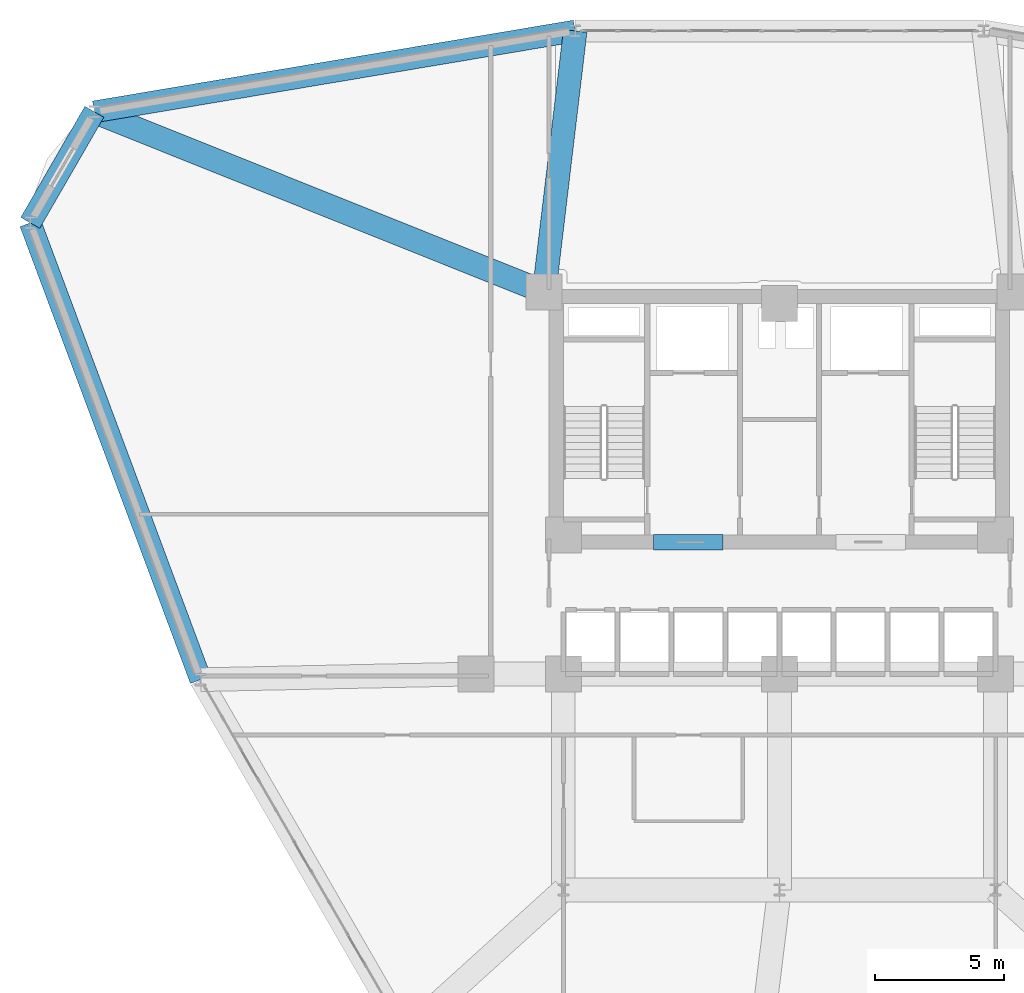
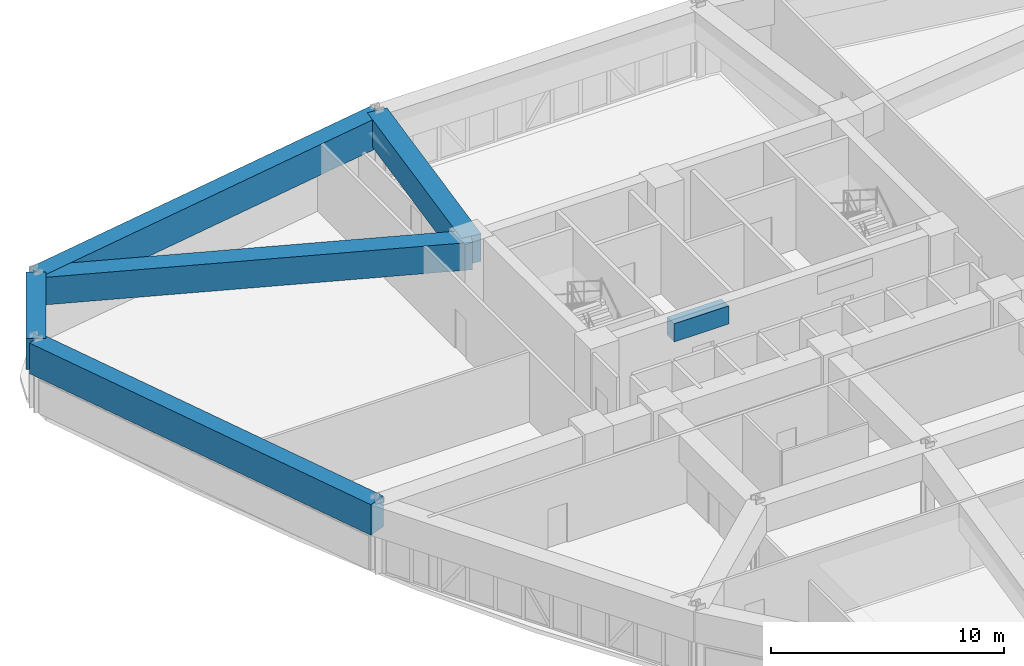
# One storey, part 10 of 20: 6 beams.
"""IFC4 building model written with IfcOpenShell, lengths in metres."""

import ifcopenshell
import ifcopenshell.guid

model = None  # the IFC model being written
_history = None  # IfcOwnerHistory: only IFC2X3 demands one
_inside = {}  # id of a spatial element -> (the spatial element, [elements in it])
_under = {}  # id of a project, library or spatial element -> (it, [spatial elements below it])
_declared = {}  # id of a project -> (the project, [libraries it declares])
_typed = {}  # id of a type object -> (the type object, [elements of that type])
_made_of = {}  # id of a material, layer set ... -> (it, [elements and type objects made of it])


def new_model(schema):
    """Start an empty IFC model of exactly this schema.

    Asked for "IFC4X3", IfcOpenShell would pick the latest addendum, in which some entities
    have other attributes; the version numbers below select the first issue.
    IFC2X3 requires an IfcOwnerHistory on every rooted entity: one is made here for all.
    """
    global model, _history
    if schema == "IFC4X3":
        model = ifcopenshell.file(schema_version=(4, 3, 0, 0))
    else:
        model = ifcopenshell.file(schema=schema)
    _inside.clear()
    _under.clear()
    _declared.clear()
    _typed.clear()
    _made_of.clear()
    _history = None
    if model.schema == "IFC2X3":
        org = make("IfcOrganization", Name="unknown")
        user = make(
            "IfcPersonAndOrganization",
            ThePerson=make("IfcPerson", FamilyName="unknown"),
            TheOrganization=org,
        )
        app = make(
            "IfcApplication",
            ApplicationDeveloper=org,
            Version="unknown",
            ApplicationFullName="unknown",
            ApplicationIdentifier="unknown",
        )
        _history = make(
            "IfcOwnerHistory",
            OwningUser=user,
            OwningApplication=app,
            ChangeAction="ADDED",
            CreationDate=0,
        )
    return model


def make(cls, **values):
    """One entity of the class cls with the attributes given. An attribute that is None is left unset."""
    return model.create_entity(
        cls, **{name: value for name, value in values.items() if value is not None}
    )


def rooted(cls, **values):
    """An entity with a GlobalId (a new one), such as an element, a storey or a relation."""
    return make(cls, GlobalId=ifcopenshell.guid.new(), OwnerHistory=_history, **values)


def si_unit(unit_type, name, prefix=None):
    """IfcSIUnit, for example si_unit("LENGTHUNIT", "METRE", prefix="MILLI")."""
    return make("IfcSIUnit", UnitType=unit_type, Prefix=prefix, Name=name)


def derived_unit(unit_type, elements):
    """IfcDerivedUnit: a product of units, each with its exponent."""
    return make(
        "IfcDerivedUnit",
        Elements=[
            make("IfcDerivedUnitElement", Unit=unit, Exponent=power)
            for unit, power in elements
        ],
        UnitType=unit_type,
    )


def assignment(units):
    """IfcUnitAssignment: the units of a project."""
    return None if units is None else make("IfcUnitAssignment", Units=units)


def point(xyz):
    """IfcCartesianPoint."""
    return None if xyz is None else make("IfcCartesianPoint", Coordinates=xyz)


def direction(xyz):
    """IfcDirection."""
    return None if xyz is None else make("IfcDirection", DirectionRatios=xyz)


def frame(location, z_axis=None, x_axis=None):
    """IfcAxis2Placement3D, a coordinate frame: its origin and axes. An axis left out is left unset."""
    return make(
        "IfcAxis2Placement3D",
        Location=point(location),
        Axis=direction(z_axis),
        RefDirection=direction(x_axis),
    )


def frame_2d(location, x_axis=None):
    """IfcAxis2Placement2D, a coordinate frame in the plane: its origin and x axis."""
    return make(
        "IfcAxis2Placement2D", Location=point(location), RefDirection=direction(x_axis)
    )


def origin():
    """The frame at (0, 0, 0) with its axes left unset."""
    return frame((0.0, 0.0, 0.0))


def origin_2d():
    """The frame at (0, 0) in the plane with its x axis left unset."""
    return frame_2d((0.0, 0.0))


def place(relative_to, where):
    """IfcLocalPlacement: puts the frame where relative to a parent placement (None: the world)."""
    return make(
        "IfcLocalPlacement", PlacementRelTo=relative_to, RelativePlacement=where
    )


def context(
    kind, dimensions, precision=None, world=None, true_north=None, identifier=None
):
    """IfcGeometricRepresentationContext, for example the 3D "Model" context."""
    return make(
        "IfcGeometricRepresentationContext",
        ContextIdentifier=identifier,
        ContextType=kind,
        CoordinateSpaceDimension=dimensions,
        Precision=precision,
        WorldCoordinateSystem=world,
        TrueNorth=true_north,
    )


def subcontext(parent, identifier, kind, view, scale=None):
    """IfcGeometricRepresentationSubContext, for example "Body" below "Model"."""
    return make(
        "IfcGeometricRepresentationSubContext",
        ContextIdentifier=identifier,
        ContextType=kind,
        ParentContext=parent,
        TargetScale=scale,
        TargetView=view,
    )


def project(units=None, contexts=None):
    """IfcProject with its units and contexts."""
    return rooted(
        "IfcProject",
        Name="project",
        RepresentationContexts=contexts,
        UnitsInContext=assignment(units),
    )


def spatial(cls, under=None, at=None, **own):
    """A site, building, storey or space (cls), placed at a placement, below another one or the project."""
    s = rooted(cls, ObjectPlacement=at, **own)
    if under is not None:
        _under.setdefault(under.id(), (under, []))[1].append(s)
    return s


def profile(cls, at=None, kind="AREA", **sizes):
    """A parametric profile (cls). Its sizes go by their IFC names, for example OverallWidth=200.0."""
    return make(cls, ProfileType=kind, Position=at, **sizes)


def rectangle(**sizes):
    """IfcRectangleProfileDef."""
    return profile("IfcRectangleProfileDef", **sizes)


def extrude(swept, where, along, depth):
    """IfcExtrudedAreaSolid: the profile swept, set in the frame where, extruded along a direction by depth."""
    return make(
        "IfcExtrudedAreaSolid",
        SweptArea=swept,
        Position=where,
        ExtrudedDirection=direction(along),
        Depth=depth,
    )


def shape(context_of_items, identifier, shape_type, items):
    """IfcShapeRepresentation: the items that make up one representation, for example the "Body"."""
    return make(
        "IfcShapeRepresentation",
        ContextOfItems=context_of_items,
        RepresentationIdentifier=identifier,
        RepresentationType=shape_type,
        Items=items,
    )


def source(mapping_origin, context_of_items, identifier, shape_type, items):
    """IfcRepresentationMap: a shape defined once, which mapped items show again and again."""
    return make(
        "IfcRepresentationMap",
        MappingOrigin=mapping_origin,
        MappedRepresentation=shape(context_of_items, identifier, shape_type, items),
    )


def transform(
    local_origin,
    x_axis=None,
    y_axis=None,
    z_axis=None,
    scale=None,
    scale2=None,
    scale3=None,
    uniform=True,
):
    """IfcCartesianTransformationOperator3D, or its non-uniform kind. x_axis, y_axis, z_axis: its Axis1, 2, 3."""
    if uniform:
        return make(
            "IfcCartesianTransformationOperator3D",
            Axis1=direction(x_axis),
            Axis2=direction(y_axis),
            LocalOrigin=point(local_origin),
            Scale=scale,
            Axis3=direction(z_axis),
        )
    return make(
        "IfcCartesianTransformationOperator3DnonUniform",
        Axis1=direction(x_axis),
        Axis2=direction(y_axis),
        LocalOrigin=point(local_origin),
        Scale=scale,
        Axis3=direction(z_axis),
        Scale2=scale2,
        Scale3=scale3,
    )


def mapped(mapping_source, mapping_target):
    """IfcMappedItem: shows the shape of a source again, moved by a transform."""
    return make(
        "IfcMappedItem", MappingSource=mapping_source, MappingTarget=mapping_target
    )


def material(Name=None, Category=None):
    """IfcMaterial."""
    return make("IfcMaterial", Name=Name, Category=Category)


def material_profile(
    of_material, cross_section, Name=None, Category=None, Priority=None
):
    """IfcMaterialProfile: a cross section and its material."""
    return make(
        "IfcMaterialProfile",
        Name=Name,
        Material=of_material,
        Profile=cross_section,
        Priority=Priority,
        Category=Category,
    )


def profile_set(profiles, Name=None, composite=None):
    """IfcMaterialProfileSet."""
    return make(
        "IfcMaterialProfileSet",
        Name=Name,
        MaterialProfiles=profiles,
        CompositeProfile=composite,
    )


def made_of(thing, what):
    """Note that an element or type object is made of a material, layer set ...; save() writes the relation."""
    if what is not None:
        _made_of.setdefault(what.id(), (what, []))[1].append(thing)
    return thing


def type_object(cls, material=None, **own):
    """A type object (cls), such as IfcWallType, which elements share."""
    return made_of(rooted(cls, **own), material)


def element(
    cls,
    number,
    at=None,
    inside=None,
    cuts=None,
    type_object=None,
    material=None,
    context=None,
    identifier="Body",
    shape_type=None,
    held_by="IfcProductDefinitionShape",
    body=None,
    shapes=None,
    **own,
):
    """One element of the class cls, such as IfcWall. Its Tag is "e" and its number.

    at: its placement. inside: the storey or other place that contains it. cuts: it is an
    opening in that element (IfcRelVoidsElement). A single representation is given by context,
    identifier, shape_type and body (its items); several are given by shapes. held_by: the class
    of the entity that holds the representations. save() writes the other relations.
    """
    e = rooted(cls, Tag="e%d" % number, ObjectPlacement=at, **own)
    if body is not None:
        shapes = [shape(context, identifier, shape_type, body)]
    if shapes is not None:
        e.Representation = make(held_by, Representations=shapes)
    if inside is not None:
        _inside.setdefault(inside.id(), (inside, []))[1].append(e)
    if cuts is not None:
        rooted(
            "IfcRelVoidsElement", RelatingBuildingElement=cuts, RelatedOpeningElement=e
        )
    if type_object is not None:
        _typed.setdefault(type_object.id(), (type_object, []))[1].append(e)
    return made_of(e, material)


def aggregate(whole, parts):
    """IfcRelAggregates: a whole, such as a stair, and the parts it consists of."""
    return rooted("IfcRelAggregates", RelatingObject=whole, RelatedObjects=parts)


def save(model, path):
    """Write the relations noted so far, then the file.

    IfcRelAggregates (storeys below a building ...), IfcRelContainedInSpatialStructure (elements
    in a storey), IfcRelDefinesByType, IfcRelAssociatesMaterial and IfcRelDeclares: one each for
    every whole, place, type object, material and project.
    """
    for whole, parts in _under.values():
        aggregate(whole, parts)
    for where, things in _inside.values():
        rooted(
            "IfcRelContainedInSpatialStructure",
            RelatedElements=things,
            RelatingStructure=where,
        )
    for kind, things in _typed.values():
        rooted("IfcRelDefinesByType", RelatedObjects=things, RelatingType=kind)
    for what, things in _made_of.values():
        rooted("IfcRelAssociatesMaterial", RelatedObjects=things, RelatingMaterial=what)
    for by, libraries in _declared.values():
        rooted("IfcRelDeclares", RelatingContext=by, RelatedDefinitions=libraries)
    model.write(path)


model = new_model("IFC4")

# Units and contexts
model_context = context("Model", 3, precision=1e-05, world=origin(), true_north=direction((0.0, 1.0)))
body_context = subcontext(model_context, "Body", "Model", "MODEL_VIEW")
ifc_project = project(units=[si_unit("LENGTHUNIT", "METRE"), si_unit("AREAUNIT", "SQUARE_METRE"), si_unit("VOLUMEUNIT", "CUBIC_METRE"), si_unit("PLANEANGLEUNIT", "RADIAN"), si_unit("MASSUNIT", "GRAM", prefix="KILO"), derived_unit("THERMALTRANSMITTANCEUNIT", [(si_unit("POWERUNIT", "WATT"), 1), (si_unit("LENGTHUNIT", "METRE"), -2), (si_unit("THERMODYNAMICTEMPERATUREUNIT", "KELVIN"), -1)])], contexts=[model_context])

# Site, building, storey
site_placement = place(None, origin())
site = spatial("IfcSite", under=ifc_project, at=site_placement, CompositionType="ELEMENT")
building_placement = place(site_placement, origin())
building = spatial("IfcBuilding", under=site, at=building_placement, Name="Korsvarv Bourse and Concert Hall", CompositionType="ELEMENT")
storey_placement = place(building_placement, frame((0.0, 0.0, 39.60009765625)))
storey = spatial("IfcBuildingStorey", under=building, at=storey_placement, Name="L09", CompositionType="ELEMENT", Elevation=39.60009765625)

# Beams
ifc_material_1 = material(Name="Concrete C55/67", Category="concrete")
ifc_material_profile_1 = material_profile(ifc_material_1, rectangle(XDim=0.60009765625, YDim=0.949951171875, at=origin_2d()), Name="RC-BM 600x950")
ifc_profile_set_1 = profile_set([ifc_material_profile_1], Name="Concrete C55/67")
beam_type_1 = type_object("IfcBeamType", Name="BM-CPL", PredefinedType="LINTEL", material=ifc_profile_set_1)
shared_shape_1 = source(origin(), body_context, "Body", "SweptSolid", [
    extrude(rectangle(XDim=0.60009765625, YDim=0.949951171875, at=origin_2d()), origin(), (0.0, 0.0, 1.0), 2.699951171875),
])
beam_1_placement = place(storey_placement, frame((31.10009765625, 37.52490234375, 3.204833984375), z_axis=(1.0, 0.0, 0.0), x_axis=(0.0, 1.0, 0.0)))
element("IfcBeam", 1, at=beam_1_placement, inside=storey, type_object=beam_type_1, Name="L09 Core Coupling Beam West", PredefinedType="LINTEL", context=body_context, shape_type="MappedRepresentation", body=[
    mapped(shared_shape_1, transform((0.0, 0.0, 0.0), scale=1.0)),
])
ifc_material_profile_2 = material_profile(ifc_material_1, rectangle(XDim=0.85009765625, YDim=1.60009765625, at=origin_2d()), Name="RC-BM 850x1600")
ifc_profile_set_2 = profile_set([ifc_material_profile_2], Name="Concrete C55/67")
beam_type_2 = type_object("IfcBeamType", Name="BM-TR1B", PredefinedType="BEAM", material=ifc_profile_set_2)
shared_shape_2 = source(origin(), body_context, "Body", "SweptSolid", [
    extrude(rectangle(XDim=0.85009765625, YDim=1.60009765625, at=origin_2d()), origin(), (0.0, 0.0, 1.0), 4.985595703125),
])
beam_2_placement = place(storey_placement, frame((9.36279296875, 54.25732421875, 2.8798828125), z_axis=(-0.499983857782, -0.866034723298, 0.0), x_axis=(0.866034723298, -0.499983857782, 0.0)))
element("IfcBeam", 2, at=beam_2_placement, inside=storey, type_object=beam_type_2, Name="L09 beam B-TR2", PredefinedType="BEAM", context=body_context, shape_type="MappedRepresentation", body=[
    mapped(shared_shape_2, transform((0.0, 0.0, 0.0), scale=1.0)),
])
shared_shape_3 = source(origin(), body_context, "Body", "SweptSolid", [
    extrude(rectangle(XDim=0.85009765625, YDim=1.60009765625, at=origin_2d()), origin(), (0.0, 0.0, 1.0), 18.95849609375),
])
for number, where, z_axis, x_axis, name in (
    (3, (28.058837890625, 57.401611328125, 2.8798828125), (-0.98615096674, -0.16585014561, 0.0), (0.16585014561, -0.98615096674, 0.0), "L09 beam B-TR2"),
    (4, (6.8701171875, 49.939697265625, 2.8798828125), (0.349449133057, -0.936955336932, 0.0), (0.936955336932, 0.349449133057, 0.0), "L09 beam B-TR2"),
):
    element("IfcBeam", number, at=place(storey_placement, frame(where, z_axis=z_axis, x_axis=x_axis)), inside=storey, type_object=beam_type_2, Name=name, PredefinedType="BEAM", context=body_context, shape_type="MappedRepresentation", body=[
        mapped(shared_shape_3, transform((0.0, 0.0, 0.0), scale=1.0)),
    ])
ifc_material_2 = material(Name="Concrete C50/60", Category="concrete")
ifc_material_profile_3 = material_profile(ifc_material_2, rectangle(XDim=0.919921875, YDim=1.43994140625, at=origin_2d()), Name="RC-BM 920x1440")
ifc_profile_set_3 = profile_set([ifc_material_profile_3], Name="Concrete C50/60")
beam_type_3 = type_object("IfcBeamType", Name="BM-TR-144", PredefinedType="BEAM", material=ifc_profile_set_3)
shared_shape_4 = source(origin(), body_context, "Body", "SweptSolid", [
    extrude(rectangle(XDim=0.919921875, YDim=1.43994140625, at=origin_2d()), origin(), (0.0, 0.0, 1.0), 10.223388671875),
])
beam_3_placement = place(storey_placement, frame((28.058837890625, 57.401611328125, 2.9599609375), z_axis=(-0.118233633582, -0.992985804476, 0.0), x_axis=(0.992985804476, -0.118233633582, 0.0)))
element("IfcBeam", 5, at=beam_3_placement, inside=storey, type_object=beam_type_3, Name="L09 beam B-TR4", PredefinedType="BEAM", context=body_context, shape_type="MappedRepresentation", body=[
    mapped(shared_shape_4, transform((0.0, 0.0, 0.0), scale=1.0)),
])
shared_shape_5 = source(origin(), body_context, "Body", "SweptSolid", [
    extrude(rectangle(XDim=0.919921875, YDim=1.43994140625, at=origin_2d()), origin(), (0.0, 0.0, 1.0), 18.839111328125),
])
beam_4_placement = place(storey_placement, frame((9.36279296875, 54.25732421875, 2.9599609375), z_axis=(0.928249506062, -0.371958135408, 0.0), x_axis=(0.371958135408, 0.928249506062, 0.0)))
element("IfcBeam", 6, at=beam_4_placement, inside=storey, type_object=beam_type_3, Name="L09 beam B-TR4", PredefinedType="BEAM", context=body_context, shape_type="MappedRepresentation", body=[
    mapped(shared_shape_5, transform((0.0, 0.0, 0.0), scale=1.0)),
])

save(model, "model.ifc")
